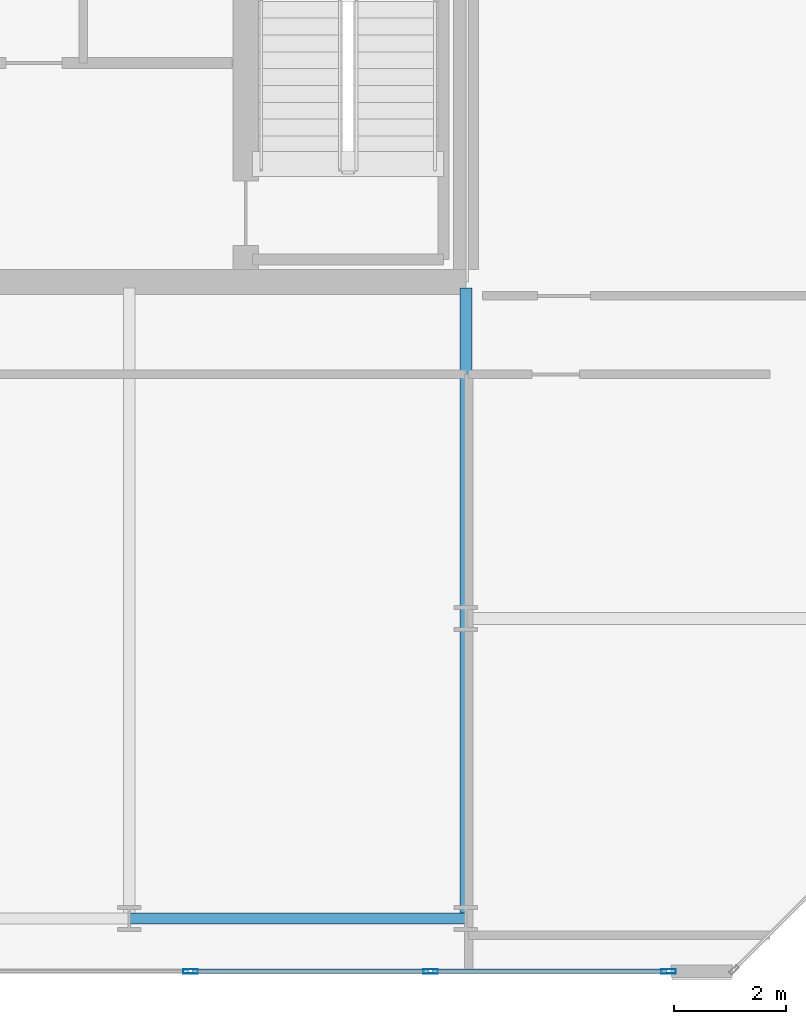
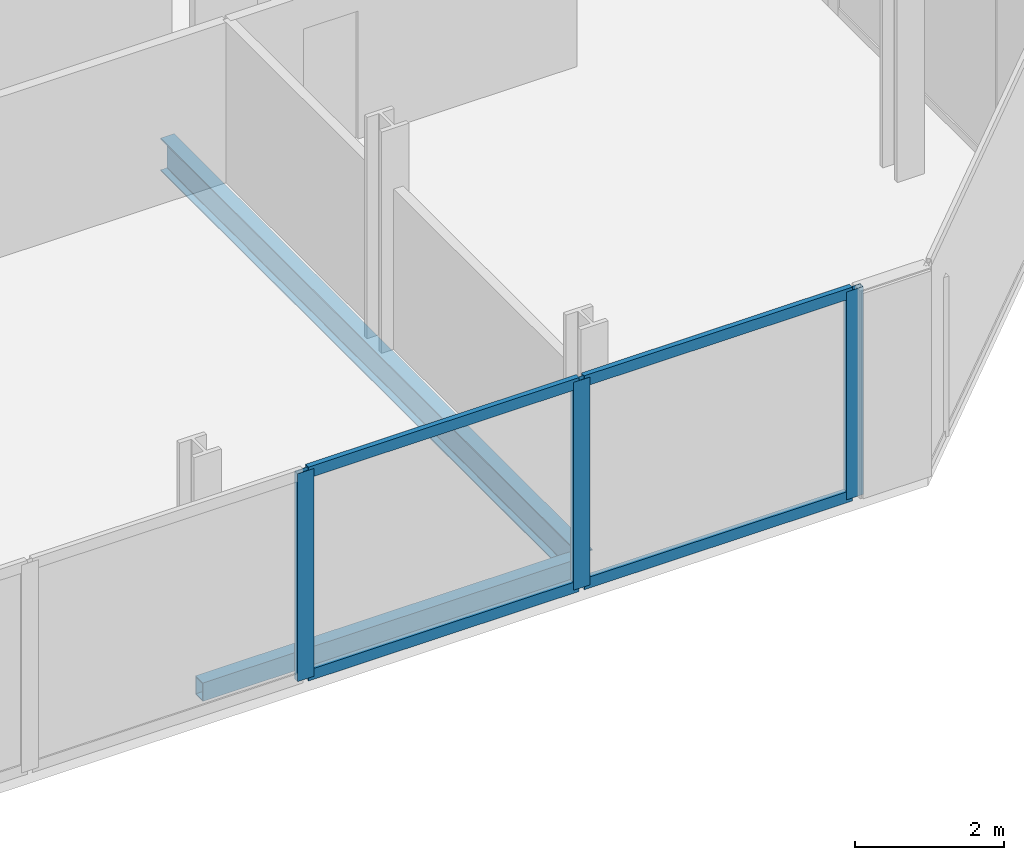
# One storey, part 6 of 17: 7 members, 2 beams, 1 element without a shape of its own.
"""IFC4 building model written with IfcOpenShell, lengths in metres."""

import ifcopenshell
import ifcopenshell.guid

model = None  # the IFC model being written
_history = None  # IfcOwnerHistory: only IFC2X3 demands one
_inside = {}  # id of a spatial element -> (the spatial element, [elements in it])
_under = {}  # id of a project, library or spatial element -> (it, [spatial elements below it])
_declared = {}  # id of a project -> (the project, [libraries it declares])
_typed = {}  # id of a type object -> (the type object, [elements of that type])
_made_of = {}  # id of a material, layer set ... -> (it, [elements and type objects made of it])


def new_model(schema):
    """Start an empty IFC model of exactly this schema.

    Asked for "IFC4X3", IfcOpenShell would pick the latest addendum, in which some entities
    have other attributes; the version numbers below select the first issue.
    IFC2X3 requires an IfcOwnerHistory on every rooted entity: one is made here for all.
    """
    global model, _history
    if schema == "IFC4X3":
        model = ifcopenshell.file(schema_version=(4, 3, 0, 0))
    else:
        model = ifcopenshell.file(schema=schema)
    _inside.clear()
    _under.clear()
    _declared.clear()
    _typed.clear()
    _made_of.clear()
    _history = None
    if model.schema == "IFC2X3":
        org = make("IfcOrganization", Name="unknown")
        user = make(
            "IfcPersonAndOrganization",
            ThePerson=make("IfcPerson", FamilyName="unknown"),
            TheOrganization=org,
        )
        app = make(
            "IfcApplication",
            ApplicationDeveloper=org,
            Version="unknown",
            ApplicationFullName="unknown",
            ApplicationIdentifier="unknown",
        )
        _history = make(
            "IfcOwnerHistory",
            OwningUser=user,
            OwningApplication=app,
            ChangeAction="ADDED",
            CreationDate=0,
        )
    return model


def make(cls, **values):
    """One entity of the class cls with the attributes given. An attribute that is None is left unset."""
    return model.create_entity(
        cls, **{name: value for name, value in values.items() if value is not None}
    )


def rooted(cls, **values):
    """An entity with a GlobalId (a new one), such as an element, a storey or a relation."""
    return make(cls, GlobalId=ifcopenshell.guid.new(), OwnerHistory=_history, **values)


def si_unit(unit_type, name, prefix=None):
    """IfcSIUnit, for example si_unit("LENGTHUNIT", "METRE", prefix="MILLI")."""
    return make("IfcSIUnit", UnitType=unit_type, Prefix=prefix, Name=name)


def assignment(units):
    """IfcUnitAssignment: the units of a project."""
    return None if units is None else make("IfcUnitAssignment", Units=units)


def point(xyz):
    """IfcCartesianPoint."""
    return None if xyz is None else make("IfcCartesianPoint", Coordinates=xyz)


def direction(xyz):
    """IfcDirection."""
    return None if xyz is None else make("IfcDirection", DirectionRatios=xyz)


def frame(location, z_axis=None, x_axis=None):
    """IfcAxis2Placement3D, a coordinate frame: its origin and axes. An axis left out is left unset."""
    return make(
        "IfcAxis2Placement3D",
        Location=point(location),
        Axis=direction(z_axis),
        RefDirection=direction(x_axis),
    )


def frame_2d(location, x_axis=None):
    """IfcAxis2Placement2D, a coordinate frame in the plane: its origin and x axis."""
    return make(
        "IfcAxis2Placement2D", Location=point(location), RefDirection=direction(x_axis)
    )


def origin():
    """The frame at (0, 0, 0) with its axes left unset."""
    return frame((0.0, 0.0, 0.0))


def origin_2d():
    """The frame at (0, 0) in the plane with its x axis left unset."""
    return frame_2d((0.0, 0.0))


def place(relative_to, where):
    """IfcLocalPlacement: puts the frame where relative to a parent placement (None: the world)."""
    return make(
        "IfcLocalPlacement", PlacementRelTo=relative_to, RelativePlacement=where
    )


def context(
    kind, dimensions, precision=None, world=None, true_north=None, identifier=None
):
    """IfcGeometricRepresentationContext, for example the 3D "Model" context."""
    return make(
        "IfcGeometricRepresentationContext",
        ContextIdentifier=identifier,
        ContextType=kind,
        CoordinateSpaceDimension=dimensions,
        Precision=precision,
        WorldCoordinateSystem=world,
        TrueNorth=true_north,
    )


def subcontext(parent, identifier, kind, view, scale=None):
    """IfcGeometricRepresentationSubContext, for example "Body" below "Model"."""
    return make(
        "IfcGeometricRepresentationSubContext",
        ContextIdentifier=identifier,
        ContextType=kind,
        ParentContext=parent,
        TargetScale=scale,
        TargetView=view,
    )


def project(units=None, contexts=None):
    """IfcProject with its units and contexts."""
    return rooted(
        "IfcProject",
        Name="project",
        RepresentationContexts=contexts,
        UnitsInContext=assignment(units),
    )


def spatial(cls, under=None, at=None, **own):
    """A site, building, storey or space (cls), placed at a placement, below another one or the project."""
    s = rooted(cls, ObjectPlacement=at, **own)
    if under is not None:
        _under.setdefault(under.id(), (under, []))[1].append(s)
    return s


def profile(cls, at=None, kind="AREA", **sizes):
    """A parametric profile (cls). Its sizes go by their IFC names, for example OverallWidth=200.0."""
    return make(cls, ProfileType=kind, Position=at, **sizes)


def hollow_rectangle(**sizes):
    """IfcRectangleHollowProfileDef."""
    return profile("IfcRectangleHollowProfileDef", **sizes)


def i_section(**sizes):
    """IfcIShapeProfileDef."""
    return profile("IfcIShapeProfileDef", **sizes)


def extrude(swept, where, along, depth):
    """IfcExtrudedAreaSolid: the profile swept, set in the frame where, extruded along a direction by depth."""
    return make(
        "IfcExtrudedAreaSolid",
        SweptArea=swept,
        Position=where,
        ExtrudedDirection=direction(along),
        Depth=depth,
    )


def shape(context_of_items, identifier, shape_type, items):
    """IfcShapeRepresentation: the items that make up one representation, for example the "Body"."""
    return make(
        "IfcShapeRepresentation",
        ContextOfItems=context_of_items,
        RepresentationIdentifier=identifier,
        RepresentationType=shape_type,
        Items=items,
    )


def material(Name=None, Category=None):
    """IfcMaterial."""
    return make("IfcMaterial", Name=Name, Category=Category)


def layer(
    of_material, thickness, ventilated=None, Name=None, Category=None, Priority=None
):
    """IfcMaterialLayer: one layer of a wall or slab, of a material (None: an air gap)."""
    return make(
        "IfcMaterialLayer",
        Material=of_material,
        LayerThickness=thickness,
        IsVentilated=ventilated,
        Name=Name,
        Category=Category,
        Priority=Priority,
    )


def layer_set(layers, Name=None):
    """IfcMaterialLayerSet."""
    return make("IfcMaterialLayerSet", MaterialLayers=layers, LayerSetName=Name)


def material_profile(
    of_material, cross_section, Name=None, Category=None, Priority=None
):
    """IfcMaterialProfile: a cross section and its material."""
    return make(
        "IfcMaterialProfile",
        Name=Name,
        Material=of_material,
        Profile=cross_section,
        Priority=Priority,
        Category=Category,
    )


def profile_set(profiles, Name=None, composite=None):
    """IfcMaterialProfileSet."""
    return make(
        "IfcMaterialProfileSet",
        Name=Name,
        MaterialProfiles=profiles,
        CompositeProfile=composite,
    )


def made_of(thing, what):
    """Note that an element or type object is made of a material, layer set ...; save() writes the relation."""
    if what is not None:
        _made_of.setdefault(what.id(), (what, []))[1].append(thing)
    return thing


def type_object(cls, material=None, **own):
    """A type object (cls), such as IfcWallType, which elements share."""
    return made_of(rooted(cls, **own), material)


def element(
    cls,
    number,
    at=None,
    inside=None,
    cuts=None,
    type_object=None,
    material=None,
    context=None,
    identifier="Body",
    shape_type=None,
    held_by="IfcProductDefinitionShape",
    body=None,
    shapes=None,
    **own,
):
    """One element of the class cls, such as IfcWall. Its Tag is "e" and its number.

    at: its placement. inside: the storey or other place that contains it. cuts: it is an
    opening in that element (IfcRelVoidsElement). A single representation is given by context,
    identifier, shape_type and body (its items); several are given by shapes. held_by: the class
    of the entity that holds the representations. save() writes the other relations.
    """
    e = rooted(cls, Tag="e%d" % number, ObjectPlacement=at, **own)
    if body is not None:
        shapes = [shape(context, identifier, shape_type, body)]
    if shapes is not None:
        e.Representation = make(held_by, Representations=shapes)
    if inside is not None:
        _inside.setdefault(inside.id(), (inside, []))[1].append(e)
    if cuts is not None:
        rooted(
            "IfcRelVoidsElement", RelatingBuildingElement=cuts, RelatedOpeningElement=e
        )
    if type_object is not None:
        _typed.setdefault(type_object.id(), (type_object, []))[1].append(e)
    return made_of(e, material)


def aggregate(whole, parts):
    """IfcRelAggregates: a whole, such as a stair, and the parts it consists of."""
    return rooted("IfcRelAggregates", RelatingObject=whole, RelatedObjects=parts)


def save(model, path):
    """Write the relations noted so far, then the file.

    IfcRelAggregates (storeys below a building ...), IfcRelContainedInSpatialStructure (elements
    in a storey), IfcRelDefinesByType, IfcRelAssociatesMaterial and IfcRelDeclares: one each for
    every whole, place, type object, material and project.
    """
    for whole, parts in _under.values():
        aggregate(whole, parts)
    for where, things in _inside.values():
        rooted(
            "IfcRelContainedInSpatialStructure",
            RelatedElements=things,
            RelatingStructure=where,
        )
    for kind, things in _typed.values():
        rooted("IfcRelDefinesByType", RelatedObjects=things, RelatingType=kind)
    for what, things in _made_of.values():
        rooted("IfcRelAssociatesMaterial", RelatedObjects=things, RelatingMaterial=what)
    for by, libraries in _declared.values():
        rooted("IfcRelDeclares", RelatingContext=by, RelatedDefinitions=libraries)
    model.write(path)


model = new_model("IFC4")

# Units and contexts
model_context = context("Model", 3, precision=1e-05, world=origin(), true_north=direction((0.0, 1.0)))
body_context = subcontext(model_context, "Body", "Model", "MODEL_VIEW")
ifc_project = project(units=[si_unit("LENGTHUNIT", "METRE"), si_unit("AREAUNIT", "SQUARE_METRE"), si_unit("VOLUMEUNIT", "CUBIC_METRE"), si_unit("PLANEANGLEUNIT", "RADIAN"), si_unit("MASSUNIT", "GRAM", prefix="KILO")], contexts=[model_context])

# Site, building, storey
site_placement = place(None, origin())
site = spatial("IfcSite", under=ifc_project, at=site_placement, CompositionType="ELEMENT")
building_placement = place(site_placement, origin())
building = spatial("IfcBuilding", under=site, at=building_placement, Name="Tanjung Sevakor Pilgrim Tower", CompositionType="ELEMENT")
storey_placement = place(building_placement, frame((0.0, 0.0, 264.330078125)))
storey = spatial("IfcBuildingStorey", under=building, at=storey_placement, Name="L74", CompositionType="ELEMENT", Elevation=264.330078125)

# Beams
ifc_material_1 = material(Name="Steel S355J2", Category="steel")
ifc_material_profile_1 = material_profile(ifc_material_1, i_section(OverallWidth=0.210693359375, OverallDepth=0.53955078125, WebThickness=0.01171875, FlangeThickness=0.018798828125, FilletRadius=0.0126953125, at=origin_2d()))
ifc_profile_set_1 = profile_set([ifc_material_profile_1], Name="Steel S355J2")
beam_type_1 = type_object("IfcBeamType", Name="BM-B-G6-UB_533x210x109", PredefinedType="BEAM", material=ifc_profile_set_1)
beam_1_placement = place(storey_placement, frame((90.0, 13.25, -0.48974609375), z_axis=(0.0, 1.0, 0.0), x_axis=(-1.0, 0.0, 0.0)))
element("IfcBeam", 1, at=beam_1_placement, inside=storey, type_object=beam_type_1, Name="L74 EAST Girder 009", PredefinedType="BEAM", context=body_context, shape_type="SweptSolid", body=[
    extrude(i_section(OverallWidth=0.210693359375, OverallDepth=0.53955078125, WebThickness=0.01171875, FlangeThickness=0.018798828125, FilletRadius=0.0126953125, at=origin_2d()), origin(), (0.0, 0.0, 1.0), 11.243896484375),
])
ifc_material_2 = material(Name="Steel S355J2", Category="steel")
ifc_material_profile_2 = material_profile(ifc_material_2, hollow_rectangle(XDim=0.199951171875, YDim=0.300048828125, WallThickness=0.012451171875, at=origin_2d()))
ifc_profile_set_2 = profile_set([ifc_material_profile_2], Name="Steel S355J2")
beam_type_2 = type_object("IfcBeamType", Name="BM-B-SP3-RHS_300x200x12.5", PredefinedType="SPANDREL", material=ifc_profile_set_2)
beam_2_placement = place(storey_placement, frame((84.0, 13.25, -0.3701171875), z_axis=(1.0, 0.0, 0.0), x_axis=(0.0, 1.0, 0.0)))
element("IfcBeam", 2, at=beam_2_placement, inside=storey, type_object=beam_type_2, Name="L74 Spandrel EAST S-05", PredefinedType="SPANDREL", context=body_context, shape_type="SweptSolid", body=[
    extrude(hollow_rectangle(XDim=0.199951171875, YDim=0.300048828125, WallThickness=0.012451171875, at=origin_2d()), origin(), (0.0, 0.0, 1.0), 6.0),
])

# Curtain wall, members
ifc_material_3 = material(Name="Aluminium 6063-T6 and Low-E Glass", Category="aluminium")
ifc_layer = layer(ifc_material_3, 0.219970703125)
ifc_layer_set = layer_set([ifc_layer], Name="CW-SYS-CRNE")
curtain_wall_type = type_object("IfcCurtainWallType", Name="CW-SYS-CRNE", PredefinedType="NOTDEFINED", material=ifc_layer_set)
curtain_wall_placement = place(storey_placement, origin())
curtain_wall = element("IfcCurtainWall", 3, at=curtain_wall_placement, inside=storey, type_object=curtain_wall_type, Name="L74 Curtain Wall CW-CRN-L74-EAST-0-1", PredefinedType="NOTDEFINED")
ifc_material_4 = material(Name="Aluminium 6063-T6", Category="aluminium")
ifc_material_profile_3 = material_profile(ifc_material_4, hollow_rectangle(XDim=0.080078125, YDim=0.260009765625, WallThickness=0.0048828125, at=origin_2d()))
ifc_profile_set_3 = profile_set([ifc_material_profile_3], Name="Aluminium 6063-T6")
member_type_1 = type_object("IfcMemberType", Name="TYPE-CWM-3", PredefinedType="MULLION", material=ifc_profile_set_3)
member_1_placement = place(storey_placement, frame((85.0908203125, 12.31005859375, 0.0), z_axis=(0.0, 0.0, 1.0), x_axis=(0.0, 1.0, 0.0)))
member_1 = element("IfcMember", 4, at=member_1_placement, type_object=member_type_1, Name="CW-CRE mullion 4", PredefinedType="MULLION", context=body_context, shape_type="SweptSolid", body=[
    extrude(hollow_rectangle(XDim=0.080078125, YDim=0.260009765625, WallThickness=0.0048828125, at=origin_2d()), origin(), (0.0, 0.0, 1.0), 3.409912109375),
])
member_2_placement = place(storey_placement, frame((89.37255859375, 12.31005859375, 0.0), z_axis=(0.0, 0.0, 1.0), x_axis=(0.0, 1.0, 0.0)))
member_2 = element("IfcMember", 5, at=member_2_placement, type_object=member_type_1, Name="CW-CRE mullion 5", PredefinedType="MULLION", context=body_context, shape_type="SweptSolid", body=[
    extrude(hollow_rectangle(XDim=0.080078125, YDim=0.260009765625, WallThickness=0.0048828125, at=origin_2d()), origin(), (0.0, 0.0, 1.0), 3.409912109375),
])
member_3_placement = place(storey_placement, frame((93.614501953125, 12.31005859375, 0.0), z_axis=(0.0, 0.0, 1.0), x_axis=(0.0, 1.0, 0.0)))
member_3 = element("IfcMember", 6, at=member_3_placement, type_object=member_type_1, Name="CW-CRE mullion 6", PredefinedType="MULLION", context=body_context, shape_type="SweptSolid", body=[
    extrude(hollow_rectangle(XDim=0.080078125, YDim=0.260009765625, WallThickness=0.0048828125, at=origin_2d()), origin(), (0.0, 0.0, 1.0), 3.409912109375),
])
ifc_material_5 = material(Name="Aluminium 6063-T6", Category="aluminium")
ifc_material_profile_4 = material_profile(ifc_material_5, hollow_rectangle(XDim=0.080078125, YDim=0.179931640625, WallThickness=0.0048828125, at=origin_2d()))
ifc_profile_set_4 = profile_set([ifc_material_profile_4], Name="Aluminium 6063-T6")
member_type_2 = type_object("IfcMemberType", Name="TYPE-CWT-3", PredefinedType="USERDEFINED", material=ifc_profile_set_4)
member_4_placement = place(storey_placement, frame((85.130859375, 12.31005859375, 0.0400390625), z_axis=(1.0, 0.0, 0.0), x_axis=(0.0, 1.0, 0.0)))
member_4 = element("IfcMember", 7, at=member_4_placement, type_object=member_type_2, Name="CW-CRE transom 4.1", ObjectType="TRANSOM", PredefinedType="USERDEFINED", context=body_context, shape_type="SweptSolid", body=[
    extrude(hollow_rectangle(XDim=0.080078125, YDim=0.179931640625, WallThickness=0.0048828125, at=origin_2d()), origin(), (0.0, 0.0, 1.0), 4.20166015625),
])
member_5_placement = place(storey_placement, frame((85.130859375, 12.31005859375, 3.369873046875), z_axis=(1.0, 0.0, 0.0), x_axis=(0.0, 1.0, 0.0)))
member_5 = element("IfcMember", 8, at=member_5_placement, type_object=member_type_2, Name="CW-CRE transom 4.2", ObjectType="TRANSOM", PredefinedType="USERDEFINED", context=body_context, shape_type="SweptSolid", body=[
    extrude(hollow_rectangle(XDim=0.080078125, YDim=0.179931640625, WallThickness=0.0048828125, at=origin_2d()), origin(), (0.0, 0.0, 1.0), 4.20166015625),
])
member_6_placement = place(storey_placement, frame((89.41259765625, 12.31005859375, 0.0400390625), z_axis=(1.0, 0.0, 0.0), x_axis=(0.0, 1.0, 0.0)))
member_6 = element("IfcMember", 9, at=member_6_placement, type_object=member_type_2, Name="CW-CRE transom 5.1", ObjectType="TRANSOM", PredefinedType="USERDEFINED", context=body_context, shape_type="SweptSolid", body=[
    extrude(hollow_rectangle(XDim=0.080078125, YDim=0.179931640625, WallThickness=0.0048828125, at=origin_2d()), origin(), (0.0, 0.0, 1.0), 4.161865234375),
])
member_7_placement = place(storey_placement, frame((89.41259765625, 12.31005859375, 3.369873046875), z_axis=(1.0, 0.0, 0.0), x_axis=(0.0, 1.0, 0.0)))
member_7 = element("IfcMember", 10, at=member_7_placement, type_object=member_type_2, Name="CW-CRE transom 5.2", ObjectType="TRANSOM", PredefinedType="USERDEFINED", context=body_context, shape_type="SweptSolid", body=[
    extrude(hollow_rectangle(XDim=0.080078125, YDim=0.179931640625, WallThickness=0.0048828125, at=origin_2d()), origin(), (0.0, 0.0, 1.0), 4.161865234375),
])
aggregate(curtain_wall, [member_1, member_2, member_3, member_4, member_5, member_6, member_7])

save(model, "model.ifc")
